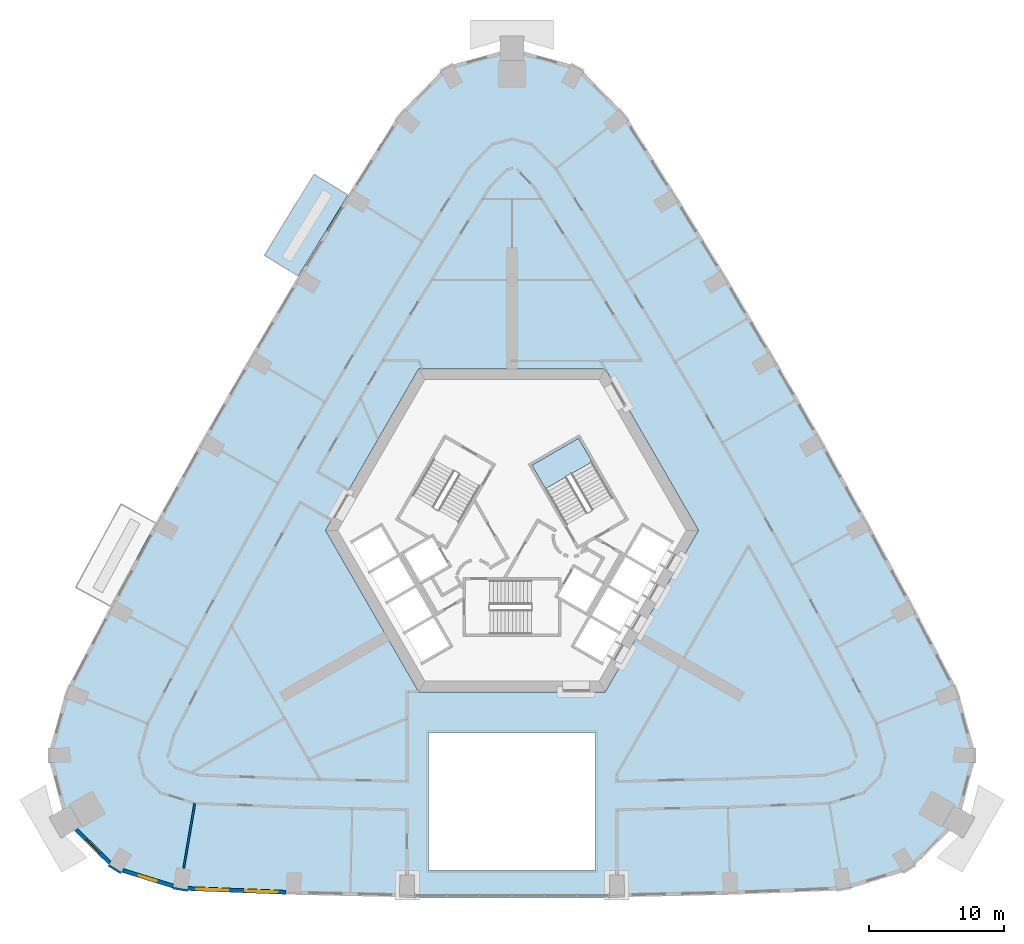
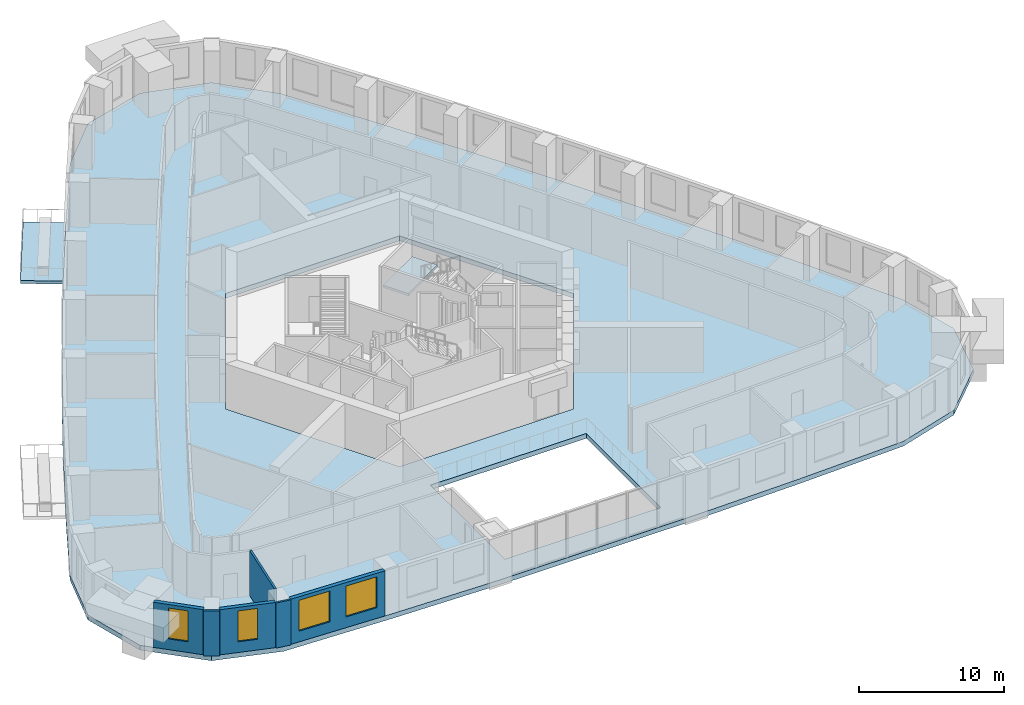
# One storey, part 3 of 14: 6 walls, 4 windows, 3 slabs, 4 openings, 1 element without a shape of its own.
"""IFC4 building model written with IfcOpenShell, lengths in metres."""

from ifc_helpers import new_model, si_unit, direction, frame, frame_2d, origin, place, context, subcontext, project, spatial, polyline, rectangle, outline, extrude, material, layer, layer_set, type_object, element, fill, aggregate, save


model = new_model("IFC4")

# Units and contexts
model_context = context("Model", 3, precision=1e-05, world=origin(), true_north=direction((0.0, 1.0)))
body_context = subcontext(model_context, "Body", "Model", "MODEL_VIEW")
ifc_project = project(units=[si_unit("LENGTHUNIT", "METRE"), si_unit("AREAUNIT", "SQUARE_METRE"), si_unit("VOLUMEUNIT", "CUBIC_METRE"), si_unit("PLANEANGLEUNIT", "RADIAN"), si_unit("MASSUNIT", "GRAM", prefix="KILO")], contexts=[model_context])

# Site, building, storey
site_placement = place(None, origin())
site = spatial("IfcSite", under=ifc_project, at=site_placement, CompositionType="ELEMENT")
building_placement = place(site_placement, origin())
building = spatial("IfcBuilding", under=site, at=building_placement, Name="Entoto Arch Interchange Tower", CompositionType="ELEMENT")
storey_placement = place(building_placement, frame((0.0, 0.0, 159.199951171875)))
storey = spatial("IfcBuildingStorey", under=building, at=storey_placement, Name="L35", CompositionType="ELEMENT", Elevation=159.199951171875)

# Slab
ifc_material_1 = material(Name="Board-marked precast concrete C50/60", Category="concrete")
ifc_layer_1 = layer(ifc_material_1, 0.25)
ifc_layer_set_1 = layer_set([ifc_layer_1], Name="Board-marked precast concrete C50/60")
slab_type_1 = type_object("IfcSlabType", Name="BALCONY DECK PRECAST 250", PredefinedType="FLOOR", material=ifc_layer_set_1)
slab_1_placement = place(storey_placement, frame((0.0, 0.0, -0.25)))
element("IfcSlab", 1, at=slab_1_placement, inside=storey, type_object=slab_type_1, Name="Planted balcony NW-02 L35", PredefinedType="FLOOR", context=body_context, shape_type="SweptSolid", body=[
    extrude(outline(polyline([(-12.18798828125, 27.405029296875), (-15.876953125, 21.388916015625), (-18.39208984375, 22.930908203125), (-14.702880859375, 28.947021484375), (-12.18798828125, 27.405029296875)])), origin(), (0.0, 0.0, 1.0), 0.25),
])

# Stair, slab
ifc_material_2 = material(Name="Concrete C40/50", Category="concrete")
stair_type = type_object("IfcStairType", Name="EXIT STAIR RC 1800", PredefinedType="HALF_TURN_STAIR", material=ifc_material_2)
stair_placement = place(storey_placement, origin())
stair = element("IfcStair", 2, at=stair_placement, inside=storey, type_object=stair_type, Name="L35 Exit stair NE", PredefinedType="HALF_TURN_STAIR")
ifc_layer_2 = layer(ifc_material_2, 0.199951171875)
ifc_layer_set_2 = layer_set([ifc_layer_2], Name="Concrete C40/50")
slab_type_2 = type_object("IfcSlabType", Name="EXIT STAIR LANDING RC 200", PredefinedType="LANDING", material=ifc_layer_set_2)
slab_2_placement = place(storey_placement, frame((0.0, 0.0, 1.900146484375)))
slab_2 = element("IfcSlab", 3, at=slab_2_placement, type_object=slab_type_2, Name="ST-NE landing 1", PredefinedType="LANDING", context=body_context, shape_type="SweptSolid", body=[
    extrude(outline(polyline([(5.953369140625, 7.58837890625), (4.943359375, 9.337890625), (1.479248046875, 7.337890625), (2.4892578125, 5.58837890625), (5.953369140625, 7.58837890625)])), origin(), (0.0, 0.0, 1.0), 0.199951171875),
])
aggregate(stair, [slab_2])

# Slab
ifc_layer_3 = layer(ifc_material_2, 0.39990234375)
ifc_layer_set_3 = layer_set([ifc_layer_3], Name="Concrete C40/50")
slab_type_3 = type_object("IfcSlabType", Name="Post-tensioned flat plate 400 C40/50", PredefinedType="FLOOR", material=ifc_layer_set_3)
slab_3_placement = place(storey_placement, frame((0.0, 0.0, -0.39990234375)))
element("IfcSlab", 4, at=slab_3_placement, inside=storey, type_object=slab_type_3, Name="Floor slab L35", PredefinedType="FLOOR", context=body_context, shape_type="SweptSolid", body=[
    extrude(outline(polyline([(-24.6689453125, -24.241943359375), (-16.23388671875, -24.56591796875), (-7.800048828125, -24.757080078125), (7.800048828125, -24.757080078125), (16.23388671875, -24.56591796875), (24.6689453125, -24.241943359375), (29.551025390625, -22.735107421875), (33.179931640625, -19.156005859375), (34.465087890625, -14.22412109375), (33.135986328125, -9.446044921875), (29.827880859375, -3.14794921875), (26.4619140625, 3.055908203125), (23.014892578125, 9.214111328125), (19.486083984375, 15.324951171875), (15.876953125, 21.388916015625), (12.18798828125, 27.405029296875), (8.386962890625, 33.419921875), (4.9140625, 36.958984375), (0.0, 38.31201171875), (-4.9140625, 36.958984375), (-8.386962890625, 33.419921875), (-12.18798828125, 27.405029296875), (-15.876953125, 21.388916015625), (-19.486083984375, 15.324951171875), (-23.014892578125, 9.214111328125), (-26.4619140625, 3.055908203125), (-29.827880859375, -3.14794921875), (-33.135986328125, -9.446044921875), (-34.465087890625, -14.22412109375), (-33.179931640625, -19.156005859375), (-29.551025390625, -22.735107421875), (-24.6689453125, -24.241943359375)]), holes=[polyline([(6.199951171875, -22.757080078125), (6.199951171875, -12.5), (-6.199951171875, -12.5), (-6.199951171875, -22.757080078125), (6.199951171875, -22.757080078125)]), polyline([(13.85595703125, 2.5), (6.927978515625, 14.5), (-6.927978515625, 14.5), (-13.85595703125, 2.5), (-6.927978515625, -9.5), (6.927978515625, -9.5), (13.85595703125, 2.5)])]), origin(), (0.0, 0.0, 1.0), 0.39990234375),
])

# Wall
ifc_material_3 = material(Name="Gypsum board partition on steel studs", Category="steel")
ifc_layer_4 = layer(ifc_material_3, 0.14990234375)
ifc_layer_set_4 = layer_set([ifc_layer_4], Name="Gypsum board partition on steel studs")
wall_type_1 = type_object("IfcWallType", Name="PARTITION 150", PredefinedType="PARTITIONING", material=ifc_layer_set_4)
wall_1_placement = place(storey_placement, frame((-23.56689453125, -17.779052734375, 0.0), z_axis=(0.0, 0.0, 1.0), x_axis=(-0.168027663896, -0.985782280306, 0.0)))
element("IfcWall", 5, at=wall_1_placement, inside=storey, type_object=wall_type_1, Name="wall:L35:p137", PredefinedType="PARTITIONING", context=body_context, shape_type="SweptSolid", body=[
    extrude(rectangle(XDim=4.886474609375, YDim=0.14990234375, at=frame_2d((2.443359375, 0.0))), origin(), (0.0, 0.0, 1.0), 3.800048828125),
])

# Wall, openings, windows
ifc_material_4 = material(Name="Welded tuff (ignimbrite) cladding, warm buff", Category="masonry")
ifc_layer_5 = layer(ifc_material_4, 0.300048828125)
ifc_layer_set_5 = layer_set([ifc_layer_5], Name="Welded tuff (ignimbrite) cladding, warm buff")
wall_type_2 = type_object("IfcWallType", Name="STONE INFILL WALL 300", PredefinedType="STANDARD", material=ifc_layer_set_5)
wall_2_placement = place(storey_placement, frame((-24.090087890625, -24.114013671875, 0.0), z_axis=(0.0, 0.0, 1.0), x_axis=(0.999262356942, -0.038402369711, 0.0)))
wall_2 = element("IfcWall", 6, at=wall_2_placement, inside=storey, type_object=wall_type_2, Name="Facade wall S-01 L35", PredefinedType="STANDARD", context=body_context, shape_type="SweptSolid", body=[
    extrude(rectangle(XDim=7.3173828125, YDim=0.300048828125, at=frame_2d((3.65869140625, 0.0))), origin(), (0.0, 0.0, 1.0), 3.800048828125),
])
opening_1_placement = place(wall_2_placement, frame((0.62890625, 0.0, 0.89990234375)))
opening_1 = element("IfcOpeningElement", 7, at=opening_1_placement, cuts=wall_2, Name="Opening WO-A", PredefinedType="OPENING", context=body_context, shape_type="SweptSolid", body=[
    extrude(rectangle(XDim=2.39990234375, YDim=2.60009765625, at=frame_2d((1.199951171875, 1.300048828125))), frame((0.0, 0.16015625, 0.0), z_axis=(0.0, -1.0, 0.0), x_axis=(1.0, 0.0, 0.0)), (0.0, 0.0, 1.0), 0.320068359375),
])
opening_2_placement = place(wall_2_placement, frame((4.2880859375, 0.0, 0.89990234375)))
opening_2 = element("IfcOpeningElement", 8, at=opening_2_placement, cuts=wall_2, Name="Opening WO-A", PredefinedType="OPENING", context=body_context, shape_type="SweptSolid", body=[
    extrude(rectangle(XDim=2.39990234375, YDim=2.60009765625, at=frame_2d((1.199951171875, 1.300048828125))), frame((0.0, 0.16015625, 0.0), z_axis=(0.0, -1.0, 0.0), x_axis=(1.0, 0.0, 0.0)), (0.0, 0.0, 1.0), 0.320068359375),
])
ifc_material_5 = material(Name="Clear glass, low-e double glazed", Category="glass")
window_type_1 = type_object("IfcWindowType", Name="WINDOW WO-A 2400x2600", PartitioningType="DOUBLE_PANEL_VERTICAL", PredefinedType="WINDOW", material=ifc_material_5)
window_1_placement = place(opening_1_placement, origin())
window_1 = element("IfcWindow", 9, at=window_1_placement, inside=storey, type_object=window_type_1, Name="Window WO-A S-01 L35", OverallHeight=2.60009765625, OverallWidth=2.39990234375, PartitioningType="SINGLE_PANEL", PredefinedType="WINDOW", context=body_context, shape_type="SweptSolid", body=[
    extrude(rectangle(XDim=2.39990234375, YDim=2.60009765625, at=frame_2d((1.199951171875, 1.300048828125))), frame((0.0, 0.030029296875, 0.0), z_axis=(0.0, -1.0, 0.0), x_axis=(1.0, 0.0, 0.0)), (0.0, 0.0, 1.0), 0.06005859375),
])
fill(opening_1, window_1)
window_2_placement = place(opening_2_placement, origin())
window_2 = element("IfcWindow", 10, at=window_2_placement, inside=storey, type_object=window_type_1, Name="Window WO-A S-01 L35", OverallHeight=2.60009765625, OverallWidth=2.39990234375, PartitioningType="SINGLE_PANEL", PredefinedType="WINDOW", context=body_context, shape_type="SweptSolid", body=[
    extrude(rectangle(XDim=2.39990234375, YDim=2.60009765625, at=frame_2d((1.199951171875, 1.300048828125))), frame((0.0, 0.030029296875, 0.0), z_axis=(0.0, -1.0, 0.0), x_axis=(1.0, 0.0, 0.0)), (0.0, 0.0, 1.0), 0.06005859375),
])
fill(opening_2, window_2)

# Wall, opening, window
wall_3_placement = place(storey_placement, frame((-32.381103515625, -19.73291015625, 0.0), z_axis=(0.0, 0.0, 1.0), x_axis=(0.712043314899, -0.702135540838, 0.0)))
wall_3 = element("IfcWall", 11, at=wall_3_placement, inside=storey, type_object=wall_type_2, Name="Facade wall SW-03 L35", PredefinedType="STANDARD", context=body_context, shape_type="SweptSolid", body=[
    extrude(rectangle(XDim=3.523681640625, YDim=0.300048828125, at=frame_2d((1.76171875, 0.0))), origin(), (0.0, 0.0, 1.0), 3.800048828125),
])
opening_3_placement = place(wall_3_placement, frame((1.06201171875, 0.0, 0.89990234375)))
opening_3 = element("IfcOpeningElement", 12, at=opening_3_placement, cuts=wall_3, Name="Opening WO-B", PredefinedType="OPENING", context=body_context, shape_type="SweptSolid", body=[
    extrude(rectangle(XDim=1.39990234375, YDim=2.60009765625, at=frame_2d((0.699951171875, 1.300048828125))), frame((0.0, 0.16015625, 0.0), z_axis=(0.0, -1.0, 0.0), x_axis=(1.0, 0.0, 0.0)), (0.0, 0.0, 1.0), 0.320068359375),
])
window_type_2 = type_object("IfcWindowType", Name="WINDOW WO-B 1400x2600", PartitioningType="DOUBLE_PANEL_VERTICAL", PredefinedType="WINDOW", material=ifc_material_5)
window_3_placement = place(opening_3_placement, origin())
window_3 = element("IfcWindow", 13, at=window_3_placement, inside=storey, type_object=window_type_2, Name="Window WO-B SW-03 L35", OverallHeight=2.60009765625, OverallWidth=1.39990234375, PartitioningType="SINGLE_PANEL", PredefinedType="WINDOW", context=body_context, shape_type="SweptSolid", body=[
    extrude(rectangle(XDim=1.39990234375, YDim=2.60009765625, at=frame_2d((0.699951171875, 1.300048828125))), frame((0.0, 0.030029296875, 0.0), z_axis=(0.0, -1.0, 0.0), x_axis=(1.0, 0.0, 0.0)), (0.0, 0.0, 1.0), 0.06005859375),
])
fill(opening_3, window_3)

wall_4_placement = place(storey_placement, frame((-28.928955078125, -22.77001953125, 0.0), z_axis=(0.0, 0.0, 1.0), x_axis=(0.955473661147, -0.295076401723, 0.0)))
wall_4 = element("IfcWall", 14, at=wall_4_placement, inside=storey, type_object=wall_type_2, Name="Facade wall SW-04 L35", PredefinedType="STANDARD", context=body_context, shape_type="SweptSolid", body=[
    extrude(rectangle(XDim=3.930908203125, YDim=0.300048828125, at=frame_2d((1.96533203125, 0.0))), origin(), (0.0, 0.0, 1.0), 3.800048828125),
])
opening_4_placement = place(wall_4_placement, frame((1.26611328125, 0.0, 0.89990234375)))
opening_4 = element("IfcOpeningElement", 15, at=opening_4_placement, cuts=wall_4, Name="Opening WO-B", PredefinedType="OPENING", context=body_context, shape_type="SweptSolid", body=[
    extrude(rectangle(XDim=1.39990234375, YDim=2.60009765625, at=frame_2d((0.699951171875, 1.300048828125))), frame((0.0, 0.16015625, 0.0), z_axis=(0.0, -1.0, 0.0), x_axis=(1.0, 0.0, 0.0)), (0.0, 0.0, 1.0), 0.320068359375),
])
window_4_placement = place(opening_4_placement, origin())
window_4 = element("IfcWindow", 16, at=window_4_placement, inside=storey, type_object=window_type_2, Name="Window WO-B SW-04 L35", OverallHeight=2.60009765625, OverallWidth=1.39990234375, PartitioningType="SINGLE_PANEL", PredefinedType="WINDOW", context=body_context, shape_type="SweptSolid", body=[
    extrude(rectangle(XDim=1.39990234375, YDim=2.60009765625, at=frame_2d((0.699951171875, 1.300048828125))), frame((0.0, 0.030029296875, 0.0), z_axis=(0.0, -1.0, 0.0), x_axis=(1.0, 0.0, 0.0)), (0.0, 0.0, 1.0), 0.06005859375),
])
fill(opening_4, window_4)

# Walls
ifc_layer_6 = layer(ifc_material_4, 0.14990234375)
ifc_layer_set_6 = layer_set([ifc_layer_6], Name="Welded tuff (ignimbrite) cladding, warm buff")
wall_type_3 = type_object("IfcWallType", Name="STONE PIER CLADDING 150", PredefinedType="STANDARD", material=ifc_layer_set_6)
wall_5_placement = place(storey_placement, frame((-25.198974609375, -24.075927734375, 0.0), z_axis=(0.0, 0.0, 1.0), x_axis=(0.985763338892, -0.168138751323, 0.0)))
element("IfcWall", 17, at=wall_5_placement, inside=storey, type_object=wall_type_3, Name="Stone pier S01 L35", PredefinedType="STANDARD", context=body_context, shape_type="SweptSolid", body=[
    extrude(rectangle(XDim=1.1005859375, YDim=0.14990234375, at=frame_2d((0.55029296875, 0.0))), origin(), (0.0, 0.0, 1.0), 3.800048828125),
])
wall_6_placement = place(storey_placement, frame((-29.98095703125, -22.385009765625, 0.0), z_axis=(0.0, 0.0, 1.0), x_axis=(0.854005542721, -0.520263907071, 0.0)))
element("IfcWall", 18, at=wall_6_placement, inside=storey, type_object=wall_type_3, Name="Stone pier SW3 L35", PredefinedType="STANDARD", context=body_context, shape_type="SweptSolid", body=[
    extrude(rectangle(XDim=1.099365234375, YDim=0.14990234375, at=frame_2d((0.5498046875, 0.0))), origin(), (0.0, 0.0, 1.0), 3.800048828125),
])

save(model, "model.ifc")
